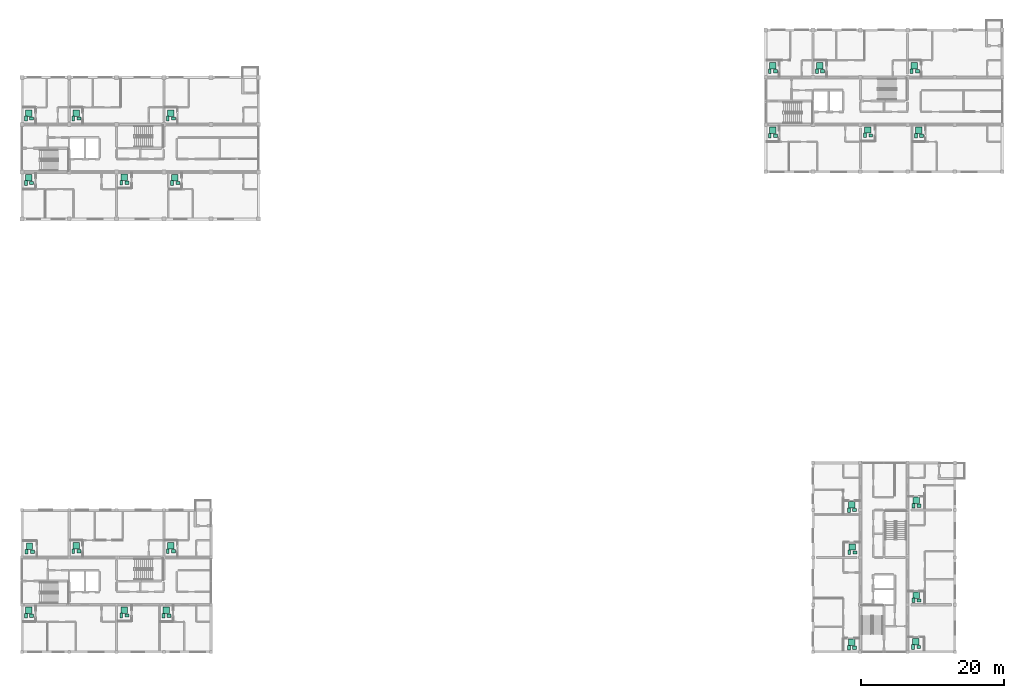
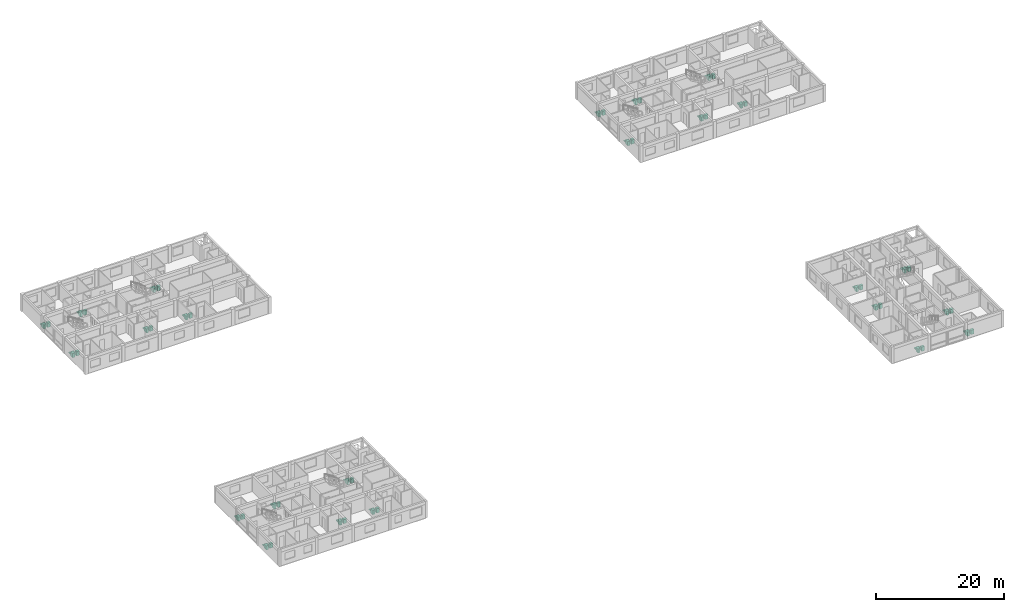
# One storey, part 45 of 45: 72 sanitary terminals.
"""IFC4 building model written with IfcOpenShell, lengths in metres."""

import ifcopenshell
import ifcopenshell.guid

model = None  # the IFC model being written
_history = None  # IfcOwnerHistory: only IFC2X3 demands one
_inside = {}  # id of a spatial element -> (the spatial element, [elements in it])
_under = {}  # id of a project, library or spatial element -> (it, [spatial elements below it])
_declared = {}  # id of a project -> (the project, [libraries it declares])
_typed = {}  # id of a type object -> (the type object, [elements of that type])
_made_of = {}  # id of a material, layer set ... -> (it, [elements and type objects made of it])


def new_model(schema):
    """Start an empty IFC model of exactly this schema.

    Asked for "IFC4X3", IfcOpenShell would pick the latest addendum, in which some entities
    have other attributes; the version numbers below select the first issue.
    IFC2X3 requires an IfcOwnerHistory on every rooted entity: one is made here for all.
    """
    global model, _history
    if schema == "IFC4X3":
        model = ifcopenshell.file(schema_version=(4, 3, 0, 0))
    else:
        model = ifcopenshell.file(schema=schema)
    _inside.clear()
    _under.clear()
    _declared.clear()
    _typed.clear()
    _made_of.clear()
    _history = None
    if model.schema == "IFC2X3":
        org = make("IfcOrganization", Name="unknown")
        user = make(
            "IfcPersonAndOrganization",
            ThePerson=make("IfcPerson", FamilyName="unknown"),
            TheOrganization=org,
        )
        app = make(
            "IfcApplication",
            ApplicationDeveloper=org,
            Version="unknown",
            ApplicationFullName="unknown",
            ApplicationIdentifier="unknown",
        )
        _history = make(
            "IfcOwnerHistory",
            OwningUser=user,
            OwningApplication=app,
            ChangeAction="ADDED",
            CreationDate=0,
        )
    return model


def make(cls, **values):
    """One entity of the class cls with the attributes given. An attribute that is None is left unset."""
    return model.create_entity(
        cls, **{name: value for name, value in values.items() if value is not None}
    )


def rooted(cls, **values):
    """An entity with a GlobalId (a new one), such as an element, a storey or a relation."""
    return make(cls, GlobalId=ifcopenshell.guid.new(), OwnerHistory=_history, **values)


def si_unit(unit_type, name, prefix=None):
    """IfcSIUnit, for example si_unit("LENGTHUNIT", "METRE", prefix="MILLI")."""
    return make("IfcSIUnit", UnitType=unit_type, Prefix=prefix, Name=name)


def assignment(units):
    """IfcUnitAssignment: the units of a project."""
    return None if units is None else make("IfcUnitAssignment", Units=units)


def point(xyz):
    """IfcCartesianPoint."""
    return None if xyz is None else make("IfcCartesianPoint", Coordinates=xyz)


def direction(xyz):
    """IfcDirection."""
    return None if xyz is None else make("IfcDirection", DirectionRatios=xyz)


def frame(location, z_axis=None, x_axis=None):
    """IfcAxis2Placement3D, a coordinate frame: its origin and axes. An axis left out is left unset."""
    return make(
        "IfcAxis2Placement3D",
        Location=point(location),
        Axis=direction(z_axis),
        RefDirection=direction(x_axis),
    )


def frame_2d(location, x_axis=None):
    """IfcAxis2Placement2D, a coordinate frame in the plane: its origin and x axis."""
    return make(
        "IfcAxis2Placement2D", Location=point(location), RefDirection=direction(x_axis)
    )


def origin():
    """The frame at (0, 0, 0) with its axes left unset."""
    return frame((0.0, 0.0, 0.0))


def origin_2d():
    """The frame at (0, 0) in the plane with its x axis left unset."""
    return frame_2d((0.0, 0.0))


def place(relative_to, where):
    """IfcLocalPlacement: puts the frame where relative to a parent placement (None: the world)."""
    return make(
        "IfcLocalPlacement", PlacementRelTo=relative_to, RelativePlacement=where
    )


def context(
    kind, dimensions, precision=None, world=None, true_north=None, identifier=None
):
    """IfcGeometricRepresentationContext, for example the 3D "Model" context."""
    return make(
        "IfcGeometricRepresentationContext",
        ContextIdentifier=identifier,
        ContextType=kind,
        CoordinateSpaceDimension=dimensions,
        Precision=precision,
        WorldCoordinateSystem=world,
        TrueNorth=true_north,
    )


def subcontext(parent, identifier, kind, view, scale=None):
    """IfcGeometricRepresentationSubContext, for example "Body" below "Model"."""
    return make(
        "IfcGeometricRepresentationSubContext",
        ContextIdentifier=identifier,
        ContextType=kind,
        ParentContext=parent,
        TargetScale=scale,
        TargetView=view,
    )


def project(units=None, contexts=None):
    """IfcProject with its units and contexts."""
    return rooted(
        "IfcProject",
        Name="project",
        RepresentationContexts=contexts,
        UnitsInContext=assignment(units),
    )


def spatial(cls, under=None, at=None, **own):
    """A site, building, storey or space (cls), placed at a placement, below another one or the project."""
    s = rooted(cls, ObjectPlacement=at, **own)
    if under is not None:
        _under.setdefault(under.id(), (under, []))[1].append(s)
    return s


def profile(cls, at=None, kind="AREA", **sizes):
    """A parametric profile (cls). Its sizes go by their IFC names, for example OverallWidth=200.0."""
    return make(cls, ProfileType=kind, Position=at, **sizes)


def rectangle(**sizes):
    """IfcRectangleProfileDef."""
    return profile("IfcRectangleProfileDef", **sizes)


def extrude(swept, where, along, depth):
    """IfcExtrudedAreaSolid: the profile swept, set in the frame where, extruded along a direction by depth."""
    return make(
        "IfcExtrudedAreaSolid",
        SweptArea=swept,
        Position=where,
        ExtrudedDirection=direction(along),
        Depth=depth,
    )


def shape(context_of_items, identifier, shape_type, items):
    """IfcShapeRepresentation: the items that make up one representation, for example the "Body"."""
    return make(
        "IfcShapeRepresentation",
        ContextOfItems=context_of_items,
        RepresentationIdentifier=identifier,
        RepresentationType=shape_type,
        Items=items,
    )


def material(Name=None, Category=None):
    """IfcMaterial."""
    return make("IfcMaterial", Name=Name, Category=Category)


def made_of(thing, what):
    """Note that an element or type object is made of a material, layer set ...; save() writes the relation."""
    if what is not None:
        _made_of.setdefault(what.id(), (what, []))[1].append(thing)
    return thing


def type_object(cls, material=None, **own):
    """A type object (cls), such as IfcWallType, which elements share."""
    return made_of(rooted(cls, **own), material)


def element(
    cls,
    number,
    at=None,
    inside=None,
    cuts=None,
    type_object=None,
    material=None,
    context=None,
    identifier="Body",
    shape_type=None,
    held_by="IfcProductDefinitionShape",
    body=None,
    shapes=None,
    **own,
):
    """One element of the class cls, such as IfcWall. Its Tag is "e" and its number.

    at: its placement. inside: the storey or other place that contains it. cuts: it is an
    opening in that element (IfcRelVoidsElement). A single representation is given by context,
    identifier, shape_type and body (its items); several are given by shapes. held_by: the class
    of the entity that holds the representations. save() writes the other relations.
    """
    e = rooted(cls, Tag="e%d" % number, ObjectPlacement=at, **own)
    if body is not None:
        shapes = [shape(context, identifier, shape_type, body)]
    if shapes is not None:
        e.Representation = make(held_by, Representations=shapes)
    if inside is not None:
        _inside.setdefault(inside.id(), (inside, []))[1].append(e)
    if cuts is not None:
        rooted(
            "IfcRelVoidsElement", RelatingBuildingElement=cuts, RelatedOpeningElement=e
        )
    if type_object is not None:
        _typed.setdefault(type_object.id(), (type_object, []))[1].append(e)
    return made_of(e, material)


def aggregate(whole, parts):
    """IfcRelAggregates: a whole, such as a stair, and the parts it consists of."""
    return rooted("IfcRelAggregates", RelatingObject=whole, RelatedObjects=parts)


def save(model, path):
    """Write the relations noted so far, then the file.

    IfcRelAggregates (storeys below a building ...), IfcRelContainedInSpatialStructure (elements
    in a storey), IfcRelDefinesByType, IfcRelAssociatesMaterial and IfcRelDeclares: one each for
    every whole, place, type object, material and project.
    """
    for whole, parts in _under.values():
        aggregate(whole, parts)
    for where, things in _inside.values():
        rooted(
            "IfcRelContainedInSpatialStructure",
            RelatedElements=things,
            RelatingStructure=where,
        )
    for kind, things in _typed.values():
        rooted("IfcRelDefinesByType", RelatedObjects=things, RelatingType=kind)
    for what, things in _made_of.values():
        rooted("IfcRelAssociatesMaterial", RelatedObjects=things, RelatingMaterial=what)
    for by, libraries in _declared.values():
        rooted("IfcRelDeclares", RelatingContext=by, RelatedDefinitions=libraries)
    model.write(path)


model = new_model("IFC4")

# Units and contexts
model_context = context("Model", 3, precision=1e-05, world=origin(), true_north=direction((0.0, 1.0)))
body_context = subcontext(model_context, "Body", "Model", "MODEL_VIEW")
ifc_project = project(units=[si_unit("LENGTHUNIT", "METRE"), si_unit("AREAUNIT", "SQUARE_METRE"), si_unit("VOLUMEUNIT", "CUBIC_METRE"), si_unit("PLANEANGLEUNIT", "RADIAN"), si_unit("MASSUNIT", "GRAM", prefix="KILO")], contexts=[model_context])

# Site, building, storey
site_placement = place(None, origin())
site = spatial("IfcSite", under=ifc_project, at=site_placement, CompositionType="ELEMENT")
building_placement = place(site_placement, origin())
building = spatial("IfcBuilding", under=site, at=building_placement, Name="Kernevlak Ridge Housing Community", CompositionType="ELEMENT")
storey_placement = place(building_placement, frame((0.0, 0.0, 21.199951171875)))
storey = spatial("IfcBuildingStorey", under=building, at=storey_placement, Name="L06", CompositionType="ELEMENT", Elevation=21.199951171875)

# Sanitary terminals
ifc_material_1 = material(Name="Vitreous china ceramic")
sanitary_terminal_type_1 = type_object("IfcSanitaryTerminalType", Name="SN-BS", PredefinedType="WASHHANDBASIN", material=ifc_material_1)
for number, where, z_axis, x_axis, name in (
    (1, (16.949951171875, 81.050048828125, 0.0), (0.0, 0.0, 1.0), (1.0, 0.0, 0.0), "Washhand basin 31"),
    (2, (30.25, 81.10009765625, 0.0), (0.0, 0.0, 1.0), (1.0, 0.0, 0.0), "Washhand basin 32"),
    (3, (37.35009765625, 81.050048828125, 0.0), (0.0, 0.0, 1.0), (1.0, 0.0, 0.0), "Washhand basin 33"),
    (4, (16.949951171875, 90.050048828125, 0.0), (0.0, 0.0, 1.0), (1.0, 0.0, 0.0), "Washhand basin 34"),
    (5, (23.550048828125, 90.050048828125, 0.0), (0.0, 0.0, 1.0), (1.0, 0.0, 0.0), "Washhand basin 35"),
    (6, (36.75, 90.050048828125, 0.0), (0.0, 0.0, 1.0), (1.0, 0.0, 0.0), "Washhand basin 36"),
    (7, (120.75, 87.64990234375, 0.0), (0.0, 0.0, 1.0), (1.0, 0.0, 0.0), "Washhand basin 128"),
    (8, (134.050048828125, 87.699951171875, 0.0), (0.0, 0.0, 1.0), (1.0, 0.0, 0.0), "Washhand basin 129"),
    (9, (141.14990234375, 87.64990234375, 0.0), (0.0, 0.0, 1.0), (1.0, 0.0, 0.0), "Washhand basin 130"),
    (10, (120.75, 96.64990234375, 0.0), (0.0, 0.0, 1.0), (1.0, 0.0, 0.0), "Washhand basin 131"),
    (11, (127.35009765625, 96.64990234375, 0.0), (0.0, 0.0, 1.0), (1.0, 0.0, 0.0), "Washhand basin 132"),
    (12, (140.550048828125, 96.64990234375, 0.0), (0.0, 0.0, 1.0), (1.0, 0.0, 0.0), "Washhand basin 133"),
    (13, (131.800048828125, 16.199951171875, 0.0), (0.0, 0.0, 1.0), (1.0, 0.0, 0.0), "Washhand basin 210"),
    (14, (131.85009765625, 29.5, 0.0), (0.0, 0.0, 1.0), (1.0, 0.0, 0.0), "Washhand basin 211"),
    (15, (131.800048828125, 35.39990234375, 0.0), (0.0, 0.0, 1.0), (1.0, 0.0, 0.0), "Washhand basin 212"),
    (16, (140.75, 16.300048828125, 0.0), (0.0, 0.0, 1.0), (1.0, 0.0, 0.0), "Washhand basin 213"),
    (17, (140.800048828125, 22.800048828125, 0.0), (0.0, 0.0, 1.0), (1.0, 0.0, 0.0), "Washhand basin 214"),
    (18, (140.800048828125, 36.0, 0.0), (0.0, 0.0, 1.0), (1.0, 0.0, 0.0), "Washhand basin 215"),
    (19, (16.949951171875, 20.64990234375, 0.0), (0.0, 0.0, 1.0), (1.0, 0.0, 0.0), "Washhand basin 275"),
    (20, (30.25, 20.699951171875, 0.0), (0.0, 0.0, 1.0), (1.0, 0.0, 0.0), "Washhand basin 276"),
    (21, (36.14990234375, 20.64990234375, 0.0), (0.0, 0.0, 1.0), (1.0, 0.0, 0.0), "Washhand basin 277"),
    (22, (17.050048828125, 29.60009765625, 0.0), (0.0, 0.0, 1.0), (1.0, 0.0, 0.0), "Washhand basin 278"),
    (23, (23.550048828125, 29.64990234375, 0.0), (0.0, 0.0, 1.0), (1.0, 0.0, 0.0), "Washhand basin 279"),
    (24, (36.75, 29.64990234375, 0.0), (0.0, 0.0, 1.0), (1.0, 0.0, 0.0), "Washhand basin 280"),
):
    element("IfcSanitaryTerminal", number, at=place(storey_placement, frame(where, z_axis=z_axis, x_axis=x_axis)), inside=storey, type_object=sanitary_terminal_type_1, Name=name, PredefinedType="WASHHANDBASIN", context=body_context, shape_type="SweptSolid", body=[
        extrude(rectangle(XDim=0.550048828125, YDim=0.449951171875, at=origin_2d()), origin(), (0.0, 0.0, 1.0), 0.820068359375),
    ])
ifc_material_2 = material(Name="Glazed porcelain ceramic")
sanitary_terminal_type_2 = type_object("IfcSanitaryTerminalType", Name="SN-SH", PredefinedType="SHOWER", material=ifc_material_2)
for number, where, z_axis, x_axis, name in (
    (25, (16.550048828125, 81.800048828125, 0.0), (0.0, 0.0, 1.0), (1.0, 0.0, 0.0), "Shower tray 31"),
    (26, (29.85009765625, 81.85009765625, 0.0), (0.0, 0.0, 1.0), (1.0, 0.0, 0.0), "Shower tray 32"),
    (27, (36.949951171875, 81.800048828125, 0.0), (0.0, 0.0, 1.0), (1.0, 0.0, 0.0), "Shower tray 33"),
    (28, (16.550048828125, 90.800048828125, 0.0), (0.0, 0.0, 1.0), (1.0, 0.0, 0.0), "Shower tray 34"),
    (29, (23.14990234375, 90.800048828125, 0.0), (0.0, 0.0, 1.0), (1.0, 0.0, 0.0), "Shower tray 35"),
    (30, (36.35009765625, 90.800048828125, 0.0), (0.0, 0.0, 1.0), (1.0, 0.0, 0.0), "Shower tray 36"),
    (31, (120.35009765625, 88.39990234375, 0.0), (0.0, 0.0, 1.0), (1.0, 0.0, 0.0), "Shower tray 128"),
    (32, (133.64990234375, 88.449951171875, 0.0), (0.0, 0.0, 1.0), (1.0, 0.0, 0.0), "Shower tray 129"),
    (33, (140.75, 88.39990234375, 0.0), (0.0, 0.0, 1.0), (1.0, 0.0, 0.0), "Shower tray 130"),
    (34, (120.35009765625, 97.39990234375, 0.0), (0.0, 0.0, 1.0), (1.0, 0.0, 0.0), "Shower tray 131"),
    (35, (126.949951171875, 97.39990234375, 0.0), (0.0, 0.0, 1.0), (1.0, 0.0, 0.0), "Shower tray 132"),
    (36, (140.14990234375, 97.39990234375, 0.0), (0.0, 0.0, 1.0), (1.0, 0.0, 0.0), "Shower tray 133"),
    (37, (131.39990234375, 16.949951171875, 0.0), (0.0, 0.0, 1.0), (1.0, 0.0, 0.0), "Shower tray 210"),
    (38, (131.449951171875, 30.25, 0.0), (0.0, 0.0, 1.0), (1.0, 0.0, 0.0), "Shower tray 211"),
    (39, (131.39990234375, 36.14990234375, 0.0), (0.0, 0.0, 1.0), (1.0, 0.0, 0.0), "Shower tray 212"),
    (40, (140.35009765625, 17.050048828125, 0.0), (0.0, 0.0, 1.0), (1.0, 0.0, 0.0), "Shower tray 213"),
    (41, (140.39990234375, 23.550048828125, 0.0), (0.0, 0.0, 1.0), (1.0, 0.0, 0.0), "Shower tray 214"),
    (42, (140.39990234375, 36.75, 0.0), (0.0, 0.0, 1.0), (1.0, 0.0, 0.0), "Shower tray 215"),
    (43, (16.550048828125, 21.39990234375, 0.0), (0.0, 0.0, 1.0), (1.0, 0.0, 0.0), "Shower tray 275"),
    (44, (29.85009765625, 21.449951171875, 0.0), (0.0, 0.0, 1.0), (1.0, 0.0, 0.0), "Shower tray 276"),
    (45, (35.75, 21.39990234375, 0.0), (0.0, 0.0, 1.0), (1.0, 0.0, 0.0), "Shower tray 277"),
    (46, (16.64990234375, 30.35009765625, 0.0), (0.0, 0.0, 1.0), (1.0, 0.0, 0.0), "Shower tray 278"),
    (47, (23.14990234375, 30.39990234375, 0.0), (0.0, 0.0, 1.0), (1.0, 0.0, 0.0), "Shower tray 279"),
    (48, (36.35009765625, 30.39990234375, 0.0), (0.0, 0.0, 1.0), (1.0, 0.0, 0.0), "Shower tray 280"),
):
    element("IfcSanitaryTerminal", number, at=place(storey_placement, frame(where, z_axis=z_axis, x_axis=x_axis)), inside=storey, type_object=sanitary_terminal_type_2, Name=name, PredefinedType="SHOWER", context=body_context, shape_type="SweptSolid", body=[
        extrude(rectangle(XDim=0.89990234375, YDim=0.89990234375, at=origin_2d()), origin(), (0.0, 0.0, 1.0), 0.1201171875),
    ])
sanitary_terminal_type_3 = type_object("IfcSanitaryTerminalType", Name="SN-WC", PredefinedType="TOILETPAN", material=ifc_material_1)
for number, where, z_axis, x_axis, name in (
    (49, (16.14990234375, 81.050048828125, 0.0), (0.0, 0.0, 1.0), (1.0, 0.0, 0.0), "WC pan 31"),
    (50, (29.449951171875, 81.10009765625, 0.0), (0.0, 0.0, 1.0), (1.0, 0.0, 0.0), "WC pan 32"),
    (51, (36.550048828125, 81.050048828125, 0.0), (0.0, 0.0, 1.0), (1.0, 0.0, 0.0), "WC pan 33"),
    (52, (16.14990234375, 90.050048828125, 0.0), (0.0, 0.0, 1.0), (1.0, 0.0, 0.0), "WC pan 34"),
    (53, (22.75, 90.050048828125, 0.0), (0.0, 0.0, 1.0), (1.0, 0.0, 0.0), "WC pan 35"),
    (54, (35.949951171875, 90.050048828125, 0.0), (0.0, 0.0, 1.0), (1.0, 0.0, 0.0), "WC pan 36"),
    (55, (119.949951171875, 87.64990234375, 0.0), (0.0, 0.0, 1.0), (1.0, 0.0, 0.0), "WC pan 128"),
    (56, (133.25, 87.699951171875, 0.0), (0.0, 0.0, 1.0), (1.0, 0.0, 0.0), "WC pan 129"),
    (57, (140.35009765625, 87.64990234375, 0.0), (0.0, 0.0, 1.0), (1.0, 0.0, 0.0), "WC pan 130"),
    (58, (119.949951171875, 96.64990234375, 0.0), (0.0, 0.0, 1.0), (1.0, 0.0, 0.0), "WC pan 131"),
    (59, (126.550048828125, 96.64990234375, 0.0), (0.0, 0.0, 1.0), (1.0, 0.0, 0.0), "WC pan 132"),
    (60, (139.75, 96.64990234375, 0.0), (0.0, 0.0, 1.0), (1.0, 0.0, 0.0), "WC pan 133"),
    (61, (131.0, 16.199951171875, 0.0), (0.0, 0.0, 1.0), (1.0, 0.0, 0.0), "WC pan 210"),
    (62, (131.050048828125, 29.5, 0.0), (0.0, 0.0, 1.0), (1.0, 0.0, 0.0), "WC pan 211"),
    (63, (131.0, 35.39990234375, 0.0), (0.0, 0.0, 1.0), (1.0, 0.0, 0.0), "WC pan 212"),
    (64, (139.949951171875, 16.300048828125, 0.0), (0.0, 0.0, 1.0), (1.0, 0.0, 0.0), "WC pan 213"),
    (65, (140.0, 22.800048828125, 0.0), (0.0, 0.0, 1.0), (1.0, 0.0, 0.0), "WC pan 214"),
    (66, (140.0, 36.0, 0.0), (0.0, 0.0, 1.0), (1.0, 0.0, 0.0), "WC pan 215"),
    (67, (16.14990234375, 20.64990234375, 0.0), (0.0, 0.0, 1.0), (1.0, 0.0, 0.0), "WC pan 275"),
    (68, (29.449951171875, 20.699951171875, 0.0), (0.0, 0.0, 1.0), (1.0, 0.0, 0.0), "WC pan 276"),
    (69, (35.35009765625, 20.64990234375, 0.0), (0.0, 0.0, 1.0), (1.0, 0.0, 0.0), "WC pan 277"),
    (70, (16.25, 29.60009765625, 0.0), (0.0, 0.0, 1.0), (1.0, 0.0, 0.0), "WC pan 278"),
    (71, (22.75, 29.64990234375, 0.0), (0.0, 0.0, 1.0), (1.0, 0.0, 0.0), "WC pan 279"),
    (72, (35.949951171875, 29.64990234375, 0.0), (0.0, 0.0, 1.0), (1.0, 0.0, 0.0), "WC pan 280"),
):
    element("IfcSanitaryTerminal", number, at=place(storey_placement, frame(where, z_axis=z_axis, x_axis=x_axis)), inside=storey, type_object=sanitary_terminal_type_3, Name=name, PredefinedType="TOILETPAN", context=body_context, shape_type="SweptSolid", body=[
        extrude(rectangle(XDim=0.39990234375, YDim=0.64990234375, at=origin_2d()), origin(), (0.0, 0.0, 1.0), 0.780029296875),
    ])

save(model, "model.ifc")
